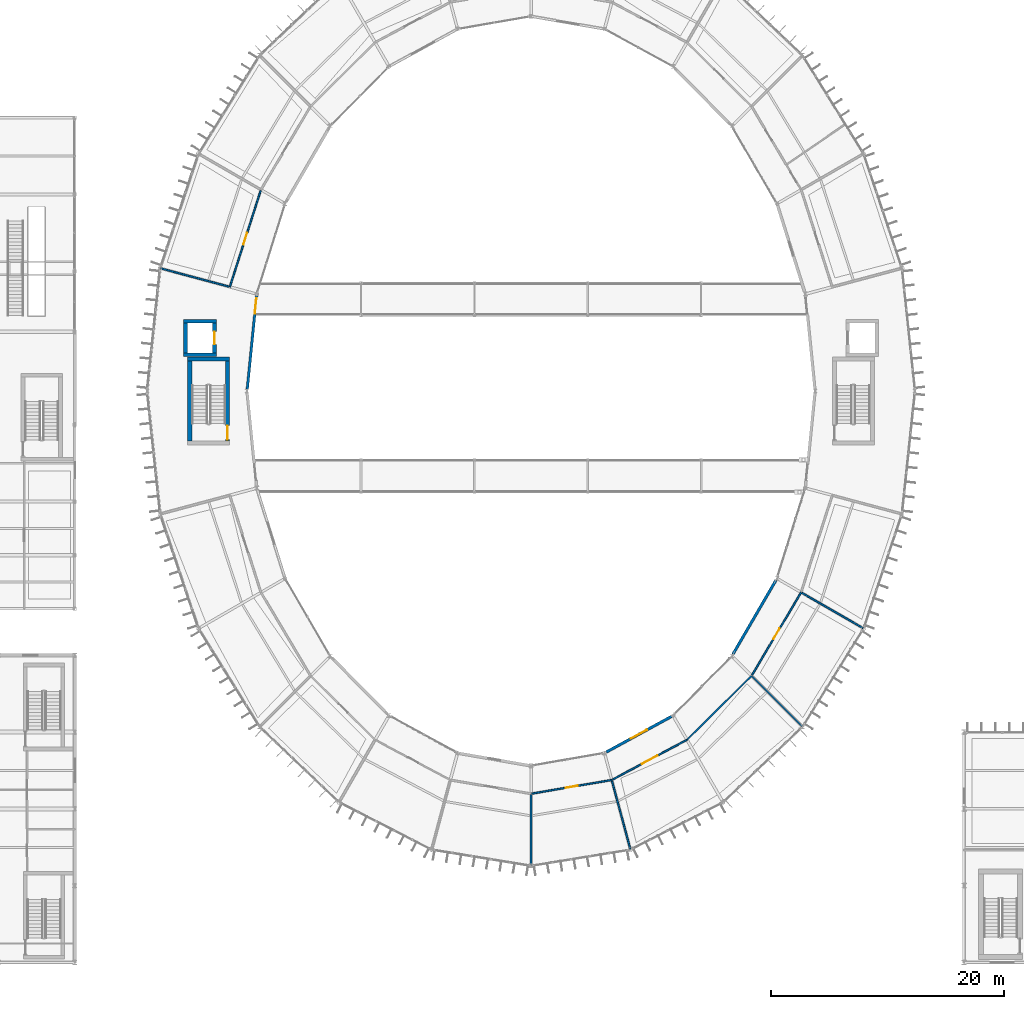
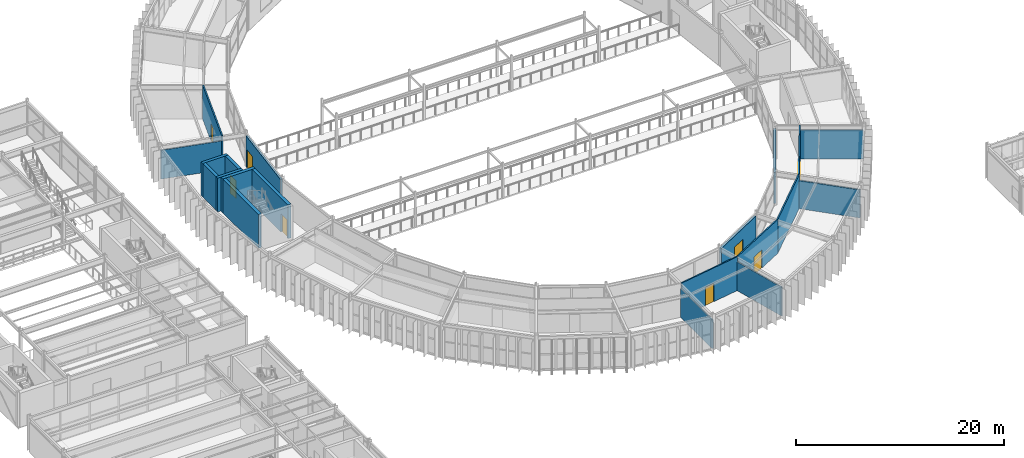
# One storey, part 123 of 148: 20 walls, 7 doors, 1 window, 8 openings.
"""IFC4 building model written with IfcOpenShell, lengths in metres."""

from ifc_helpers import new_model, si_unit, direction, frame, frame_2d, origin, place, context, subcontext, project, spatial, rectangle, extrude, material, layer, layer_set, type_object, element, fill, save


model = new_model("IFC4")

# Units and contexts
model_context = context("Model", 3, precision=1e-05, world=origin(), true_north=direction((0.0, 1.0)))
body_context = subcontext(model_context, "Body", "Model", "MODEL_VIEW")
ifc_project = project(units=[si_unit("LENGTHUNIT", "METRE"), si_unit("AREAUNIT", "SQUARE_METRE"), si_unit("VOLUMEUNIT", "CUBIC_METRE"), si_unit("PLANEANGLEUNIT", "RADIAN"), si_unit("MASSUNIT", "GRAM", prefix="KILO")], contexts=[model_context])

# Site, building, storey
site_placement = place(None, origin())
site = spatial("IfcSite", under=ifc_project, at=site_placement, CompositionType="ELEMENT")
building_placement = place(site_placement, origin())
building = spatial("IfcBuilding", under=site, at=building_placement, Name="Karori Crest Natural Sciences Institute", CompositionType="ELEMENT")
storey_placement = place(building_placement, frame((0.0, 0.0, 4.89990234375)))
storey = spatial("IfcBuildingStorey", under=building, at=storey_placement, Name="L01", CompositionType="ELEMENT", Elevation=4.89990234375)

# Walls
ifc_material_1 = material(Name="Concrete 50 MPa", Category="concrete")
ifc_layer_1 = layer(ifc_material_1, 0.35009765625, Name="Concrete 50 MPa")
ifc_layer_set_1 = layer_set([ifc_layer_1], Name="Concrete 50 MPa")
wall_type_1 = type_object("IfcWallType", Name="IWT-02", PredefinedType="SHEAR", material=ifc_layer_set_1)
wall_1_placement = place(storey_placement, frame((36.89990234375, 52.675048828125, 0.0), z_axis=(0.0, 0.0, 1.0), x_axis=(1.0, 0.0, 0.0)))
element("IfcWall", 1, at=wall_1_placement, inside=storey, type_object=wall_type_1, Name="Shear wall IW-0046", PredefinedType="SHEAR", context=body_context, shape_type="SweptSolid", body=[
    extrude(rectangle(XDim=3.60009765625, YDim=0.35009765625, at=frame_2d((1.800048828125, 0.0))), origin(), (0.0, 0.0, 1.0), 3.97998046875),
])
wall_2_placement = place(storey_placement, frame((37.074951171875, 45.60205078125, 0.0), z_axis=(0.0, 0.0, 1.0), x_axis=(0.0, 1.0, 0.0)))
element("IfcWall", 2, at=wall_2_placement, inside=storey, type_object=wall_type_1, Name="Shear wall IW-0047", PredefinedType="SHEAR", context=body_context, shape_type="SweptSolid", body=[
    extrude(rectangle(XDim=6.89599609375, YDim=0.35009765625, at=frame_2d((3.447998046875, 0.0))), origin(), (0.0, 0.0, 1.0), 3.97998046875),
])

# Wall, opening, door
wall_3_placement = place(storey_placement, frame((40.324951171875, 45.60205078125, 0.0), z_axis=(0.0, 0.0, 1.0), x_axis=(0.0, 1.0, 0.0)))
wall_3 = element("IfcWall", 3, at=wall_3_placement, inside=storey, type_object=wall_type_1, Name="Shear wall IW-0048", PredefinedType="SHEAR", context=body_context, shape_type="SweptSolid", body=[
    extrude(rectangle(XDim=6.89599609375, YDim=0.35009765625, at=frame_2d((3.447998046875, 0.0))), origin(), (0.0, 0.0, 1.0), 3.97998046875),
])
opening_1_placement = place(wall_3_placement, frame((0.1201171875, 0.0, 0.0)))
opening_1 = element("IfcOpeningElement", 4, at=opening_1_placement, cuts=wall_3, Name="Opening ID-0012", PredefinedType="OPENING", context=body_context, shape_type="SweptSolid", body=[
    extrude(rectangle(XDim=1.199951171875, YDim=2.14990234375, at=frame_2d((0.60009765625, 1.074951171875))), frame((0.0, 0.18505859375, 0.0), z_axis=(0.0, -1.0, 0.0), x_axis=(1.0, 0.0, 0.0)), (0.0, 0.0, 1.0), 0.3701171875),
])
ifc_material_2 = material(Name="Stainless steel 316 and fire-rated timber", Category="steel")
door_type_1 = type_object("IfcDoorType", Name="IDT-01", OperationType="NOTDEFINED", PredefinedType="DOOR", material=ifc_material_2)
door_1_placement = place(opening_1_placement, origin())
door_1 = element("IfcDoor", 5, at=door_1_placement, inside=storey, type_object=door_type_1, Name="Stair ST-02 fire door ID-0012", OperationType="SINGLE_SWING_RIGHT", OverallHeight=2.14990234375, OverallWidth=1.199951171875, PredefinedType="DOOR", context=body_context, shape_type="SweptSolid", body=[
    extrude(rectangle(XDim=1.199951171875, YDim=2.14990234375, at=frame_2d((0.60009765625, 1.074951171875))), frame((0.0, 0.02490234375, 0.0), z_axis=(0.0, -1.0, 0.0), x_axis=(1.0, 0.0, 0.0)), (0.0, 0.0, 1.0), 0.050048828125),
])
fill(opening_1, door_1)

# Walls
ifc_layer_2 = layer(ifc_material_1, 0.320068359375, Name="Concrete 50 MPa")
ifc_layer_set_2 = layer_set([ifc_layer_2], Name="Concrete 50 MPa")
wall_type_2 = type_object("IfcWallType", Name="IWT-03", PredefinedType="SHEAR", material=ifc_layer_set_2)
for number, where, z_axis, x_axis, name in (
    (6, (36.544921875, 53.030029296875, 0.0), (0.0, 0.0, 1.0), (1.0, 0.0, 0.0), "Shear wall IW-0445"),
    (7, (36.544921875, 55.89501953125, 0.0), (0.0, 0.0, 1.0), (1.0, 0.0, 0.0), "Shear wall IW-0446"),
):
    element("IfcWall", number, at=place(storey_placement, frame(where, z_axis=z_axis, x_axis=x_axis)), inside=storey, type_object=wall_type_2, Name=name, PredefinedType="SHEAR", context=body_context, shape_type="SweptSolid", body=[
        extrude(rectangle(XDim=2.81005859375, YDim=0.320068359375, at=frame_2d((1.405029296875, 0.0))), origin(), (0.0, 0.0, 1.0), 3.97998046875),
    ])
wall_4_placement = place(storey_placement, frame((36.705078125, 53.19189453125, 0.0), z_axis=(0.0, 0.0, 1.0), x_axis=(0.0, 1.0, 0.0)))
element("IfcWall", 8, at=wall_4_placement, inside=storey, type_object=wall_type_2, Name="Shear wall IW-0447", PredefinedType="SHEAR", context=body_context, shape_type="SweptSolid", body=[
    extrude(rectangle(XDim=2.541015625, YDim=0.320068359375, at=frame_2d((1.2705078125, 0.0))), origin(), (0.0, 0.0, 1.0), 3.97998046875),
])

# Wall, opening, door
wall_5_placement = place(storey_placement, frame((39.195068359375, 53.19189453125, 0.0), z_axis=(0.0, 0.0, 1.0), x_axis=(0.0, 1.0, 0.0)))
wall_5 = element("IfcWall", 9, at=wall_5_placement, inside=storey, type_object=wall_type_2, Name="Shear wall IW-0448", PredefinedType="SHEAR", context=body_context, shape_type="SweptSolid", body=[
    extrude(rectangle(XDim=2.541015625, YDim=0.320068359375, at=frame_2d((1.2705078125, 0.0))), origin(), (0.0, 0.0, 1.0), 3.97998046875),
])
opening_2_placement = place(wall_5_placement, frame((0.720458984375, 0.0, 0.0)))
opening_2 = element("IfcOpeningElement", 10, at=opening_2_placement, cuts=wall_5, Name="Opening LD-0036", PredefinedType="OPENING", context=body_context, shape_type="SweptSolid", body=[
    extrude(rectangle(XDim=1.10009765625, YDim=2.14990234375, at=frame_2d((0.550048828125, 1.074951171875))), frame((0.0, 0.169921875, 0.0), z_axis=(0.0, -1.0, 0.0), x_axis=(1.0, 0.0, 0.0)), (0.0, 0.0, 1.0), 0.340087890625),
])
door_type_2 = type_object("IfcDoorType", Name="LDT-01", OperationType="SLIDING_TO_LEFT", PredefinedType="DOOR", material=ifc_material_2)
door_2_placement = place(opening_2_placement, origin())
door_2 = element("IfcDoor", 11, at=door_2_placement, inside=storey, type_object=door_type_2, Name="Lift LP-02 landing door LD-0036", OperationType="SLIDING_TO_LEFT", OverallHeight=2.14990234375, OverallWidth=1.10009765625, PredefinedType="DOOR", context=body_context, shape_type="SweptSolid", body=[
    extrude(rectangle(XDim=1.10009765625, YDim=2.14990234375, at=frame_2d((0.550048828125, 1.074951171875))), frame((0.0, 0.02490234375, 0.0), z_axis=(0.0, -1.0, 0.0), x_axis=(1.0, 0.0, 0.0)), (0.0, 0.0, 1.0), 0.050048828125),
])
fill(opening_2, door_2)

ifc_material_3 = material(Name="Laboratory acoustic drywall partition")
ifc_layer_3 = layer(ifc_material_3, 0.139892578125, Name="Laboratory acoustic drywall partition")
ifc_layer_set_3 = layer_set([ifc_layer_3], Name="Laboratory acoustic drywall partition")
wall_type_3 = type_object("IfcWallType", Name="IWT-07", PredefinedType="PARTITIONING", material=ifc_layer_set_3)
wall_6_placement = place(storey_placement, frame((43.16796875, 67.1298828125, 0.0), z_axis=(0.0, 0.0, 1.0), x_axis=(-0.305487150125, -0.952196198852, 0.0)))
wall_6 = element("IfcWall", 12, at=wall_6_placement, inside=storey, type_object=wall_type_3, Name="Partition wall IW-1228", PredefinedType="PARTITIONING", context=body_context, shape_type="SweptSolid", body=[
    extrude(rectangle(XDim=8.6904296875, YDim=0.139892578125, at=frame_2d((4.34521484375, 0.0))), origin(), (0.0, 0.0, 1.0), 3.97998046875),
])
opening_3_placement = place(wall_6_placement, frame((3.820068359375, 0.0, 0.0)))
opening_3 = element("IfcOpeningElement", 13, at=opening_3_placement, cuts=wall_6, Name="Opening ID-0374", PredefinedType="OPENING", context=body_context, shape_type="SweptSolid", body=[
    extrude(rectangle(XDim=1.050048828125, YDim=2.14990234375, at=frame_2d((0.52490234375, 1.074951171875))), frame((0.0, 0.080078125, 0.0), z_axis=(0.0, -1.0, 0.0), x_axis=(1.0, 0.0, 0.0)), (0.0, 0.0, 1.0), 0.159912109375),
])
door_type_3 = type_object("IfcDoorType", Name="IDT-03", OperationType="NOTDEFINED", PredefinedType="DOOR", material=ifc_material_2)
door_3_placement = place(opening_3_placement, origin())
door_3 = element("IfcDoor", 14, at=door_3_placement, inside=storey, type_object=door_type_3, Name="Wet Biology Laboratory door ID-0374", OperationType="SINGLE_SWING_RIGHT", OverallHeight=2.14990234375, OverallWidth=1.050048828125, PredefinedType="DOOR", context=body_context, shape_type="SweptSolid", body=[
    extrude(rectangle(XDim=1.050048828125, YDim=2.14990234375, at=frame_2d((0.52490234375, 1.074951171875))), frame((0.0, 0.02490234375, 0.0), z_axis=(0.0, -1.0, 0.0), x_axis=(1.0, 0.0, 0.0)), (0.0, 0.0, 1.0), 0.050048828125),
])
fill(opening_3, door_3)

# Walls
wall_7_placement = place(storey_placement, frame((40.435791015625, 58.875732421875, 0.0), z_axis=(0.0, 0.0, 1.0), x_axis=(-0.965916578341, 0.258853556448, 0.0)))
element("IfcWall", 15, at=wall_7_placement, inside=storey, type_object=wall_type_3, Name="Partition wall IW-1229", PredefinedType="PARTITIONING", context=body_context, shape_type="SweptSolid", body=[
    extrude(rectangle(XDim=6.059814453125, YDim=0.139892578125, at=frame_2d((3.02978515625, 0.0))), origin(), (0.0, 0.0, 1.0), 3.39208984375),
])
wall_8_placement = place(storey_placement, frame((66.39990234375, 15.219970703125, 0.0), z_axis=(0.0, 0.0, 1.0), x_axis=(0.0, -1.0, 0.0)))
element("IfcWall", 16, at=wall_8_placement, inside=storey, type_object=wall_type_3, Name="Partition wall IW-1239", PredefinedType="PARTITIONING", context=body_context, shape_type="SweptSolid", body=[
    extrude(rectangle(XDim=6.06005859375, YDim=0.139892578125, at=frame_2d((3.030029296875, 0.0))), origin(), (0.0, 0.0, 1.0), 3.39208984375),
])

# Wall, opening, door
wall_9_placement = place(storey_placement, frame((66.471923828125, 15.312255859375, 0.0), z_axis=(0.0, 0.0, 1.0), x_axis=(0.985861002198, 0.167565164474, 0.0)))
wall_9 = element("IfcWall", 17, at=wall_9_placement, inside=storey, type_object=wall_type_3, Name="Partition wall IW-1240", PredefinedType="PARTITIONING", context=body_context, shape_type="SweptSolid", body=[
    extrude(rectangle(XDim=6.962890625, YDim=0.139892578125, at=frame_2d((3.4814453125, 0.0))), origin(), (0.0, 0.0, 1.0), 3.97998046875),
])
opening_4_placement = place(wall_9_placement, frame((2.956298828125, 0.0, 0.0)))
opening_4 = element("IfcOpeningElement", 18, at=opening_4_placement, cuts=wall_9, Name="Opening ID-0379", PredefinedType="OPENING", context=body_context, shape_type="SweptSolid", body=[
    extrude(rectangle(XDim=1.050048828125, YDim=2.14990234375, at=frame_2d((0.52490234375, 1.074951171875))), frame((0.0, 0.080078125, 0.0), z_axis=(0.0, -1.0, 0.0), x_axis=(1.0, 0.0, 0.0)), (0.0, 0.0, 1.0), 0.159912109375),
])
door_4_placement = place(opening_4_placement, origin())
door_4 = element("IfcDoor", 19, at=door_4_placement, inside=storey, type_object=door_type_3, Name="Dry Optics Physics Laboratory door ID-0379", OperationType="SINGLE_SWING_RIGHT", OverallHeight=2.14990234375, OverallWidth=1.050048828125, PredefinedType="DOOR", context=body_context, shape_type="SweptSolid", body=[
    extrude(rectangle(XDim=1.050048828125, YDim=2.14990234375, at=frame_2d((0.52490234375, 1.074951171875))), frame((0.0, 0.02490234375, 0.0), z_axis=(0.0, -1.0, 0.0), x_axis=(1.0, 0.0, 0.0)), (0.0, 0.0, 1.0), 0.050048828125),
])
fill(opening_4, door_4)

# Wall
wall_10_placement = place(storey_placement, frame((73.357177734375, 16.401611328125, 0.0), z_axis=(0.0, 0.0, 1.0), x_axis=(0.258805895167, -0.965929349708, 0.0)))
element("IfcWall", 20, at=wall_10_placement, inside=storey, type_object=wall_type_3, Name="Partition wall IW-1241", PredefinedType="PARTITIONING", context=body_context, shape_type="SweptSolid", body=[
    extrude(rectangle(XDim=6.06005859375, YDim=0.139892578125, at=frame_2d((3.030029296875, 0.0))), origin(), (0.0, 0.0, 1.0), 3.39208984375),
])

# Wall, opening, door
wall_11_placement = place(storey_placement, frame((73.401611328125, 16.513916015625, 0.0), z_axis=(0.0, 0.0, 1.0), x_axis=(0.881829873621, 0.471567676999, 0.0)))
wall_11 = element("IfcWall", 21, at=wall_11_placement, inside=storey, type_object=wall_type_3, Name="Partition wall IW-1242", PredefinedType="PARTITIONING", context=body_context, shape_type="SweptSolid", body=[
    extrude(rectangle(XDim=7.255859375, YDim=0.139892578125, at=frame_2d((3.6279296875, 0.0))), origin(), (0.0, 0.0, 1.0), 3.97998046875),
])
opening_5_placement = place(wall_11_placement, frame((2.8779296875, 0.0, 0.0)))
opening_5 = element("IfcOpeningElement", 22, at=opening_5_placement, cuts=wall_11, Name="Opening ID-0380", PredefinedType="OPENING", context=body_context, shape_type="SweptSolid", body=[
    extrude(rectangle(XDim=1.5, YDim=2.14990234375, at=frame_2d((0.75, 1.074951171875))), frame((0.0, 0.080078125, 0.0), z_axis=(0.0, -1.0, 0.0), x_axis=(1.0, 0.0, 0.0)), (0.0, 0.0, 1.0), 0.159912109375),
])
door_type_4 = type_object("IfcDoorType", Name="IDT-05", OperationType="DOUBLE_DOOR_SINGLE_SWING", PredefinedType="DOOR", material=ifc_material_2)
door_5_placement = place(opening_5_placement, origin())
door_5 = element("IfcDoor", 23, at=door_5_placement, inside=storey, type_object=door_type_4, Name="Marine Ecology Dry Laboratory door ID-0380", OperationType="DOUBLE_DOOR_SINGLE_SWING", OverallHeight=2.14990234375, OverallWidth=1.5, PredefinedType="DOOR", context=body_context, shape_type="SweptSolid", body=[
    extrude(rectangle(XDim=1.5, YDim=2.14990234375, at=frame_2d((0.75, 1.074951171875))), frame((0.0, 0.02490234375, 0.0), z_axis=(0.0, -1.0, 0.0), x_axis=(1.0, 0.0, 0.0)), (0.0, 0.0, 1.0), 0.050048828125),
])
fill(opening_5, door_5)

# Walls
wall_12_placement = place(storey_placement, frame((79.801513671875, 19.93701171875, 0.0), z_axis=(0.0, 0.0, 1.0), x_axis=(0.710427757183, 0.703770134222, 0.0)))
element("IfcWall", 24, at=wall_12_placement, inside=storey, type_object=wall_type_3, Name="Partition wall IW-1243", PredefinedType="PARTITIONING", context=body_context, shape_type="SweptSolid", body=[
    extrude(rectangle(XDim=7.810791015625, YDim=0.139892578125, at=frame_2d((3.9052734375, 0.0))), origin(), (0.0, 0.0, 1.0), 3.97998046875),
])
wall_13_placement = place(storey_placement, frame((85.406982421875, 25.37744140625, 0.0), z_axis=(0.0, 0.0, 1.0), x_axis=(0.707106781187, -0.707106781187, 0.0)))
element("IfcWall", 25, at=wall_13_placement, inside=storey, type_object=wall_type_3, Name="Partition wall IW-1244", PredefinedType="PARTITIONING", context=body_context, shape_type="SweptSolid", body=[
    extrude(rectangle(XDim=6.06005859375, YDim=0.139892578125, at=frame_2d((3.030029296875, 0.0))), origin(), (0.0, 0.0, 1.0), 3.322998046875),
])

# Wall, opening, door
wall_14_placement = place(storey_placement, frame((85.388427734375, 25.497802734375, 0.0), z_axis=(0.0, 0.0, 1.0), x_axis=(0.510914893672, 0.8596312997, 0.0)))
wall_14 = element("IfcWall", 26, at=wall_14_placement, inside=storey, type_object=wall_type_3, Name="Partition wall IW-1245", PredefinedType="PARTITIONING", context=body_context, shape_type="SweptSolid", body=[
    extrude(rectangle(XDim=8.261962890625, YDim=0.139892578125, at=frame_2d((4.130859375, 0.0))), origin(), (0.0, 0.0, 1.0), 3.97998046875),
])
opening_6_placement = place(wall_14_placement, frame((3.60595703125, 0.0, 0.0)))
opening_6 = element("IfcOpeningElement", 27, at=opening_6_placement, cuts=wall_14, Name="Opening ID-0381", PredefinedType="OPENING", context=body_context, shape_type="SweptSolid", body=[
    extrude(rectangle(XDim=1.050048828125, YDim=2.14990234375, at=frame_2d((0.52490234375, 1.074951171875))), frame((0.0, 0.080078125, 0.0), z_axis=(0.0, -1.0, 0.0), x_axis=(1.0, 0.0, 0.0)), (0.0, 0.0, 1.0), 0.159912109375),
])
door_6_placement = place(opening_6_placement, origin())
door_6 = element("IfcDoor", 28, at=door_6_placement, inside=storey, type_object=door_type_3, Name="Paleoclimate Core Analysis Laboratory door ID-0381", OperationType="SINGLE_SWING_LEFT", OverallHeight=2.14990234375, OverallWidth=1.050048828125, PredefinedType="DOOR", context=body_context, shape_type="SweptSolid", body=[
    extrude(rectangle(XDim=1.050048828125, YDim=2.14990234375, at=frame_2d((0.52490234375, 1.074951171875))), frame((0.0, 0.02490234375, 0.0), z_axis=(0.0, -1.0, 0.0), x_axis=(1.0, 0.0, 0.0)), (0.0, 0.0, 1.0), 0.050048828125),
])
fill(opening_6, door_6)

# Wall
wall_15_placement = place(storey_placement, frame((89.6787109375, 32.56005859375, 0.0), z_axis=(0.0, 0.0, 1.0), x_axis=(0.866020543329, -0.500008418462, 0.0)))
element("IfcWall", 29, at=wall_15_placement, inside=storey, type_object=wall_type_3, Name="Partition wall IW-1246", PredefinedType="PARTITIONING", context=body_context, shape_type="SweptSolid", body=[
    extrude(rectangle(XDim=6.06005859375, YDim=0.139892578125, at=frame_2d((3.030029296875, 0.0))), origin(), (0.0, 0.0, 1.0), 3.39208984375),
])

# Wall, opening, window
ifc_material_4 = material(Name="Precast concrete 40 MPa", Category="concrete")
ifc_layer_4 = layer(ifc_material_4, 0.239990234375, Name="Precast concrete 40 MPa")
ifc_layer_set_4 = layer_set([ifc_layer_4], Name="Precast concrete 40 MPa")
wall_type_4 = type_object("IfcWallType", Name="WT-04", PredefinedType="SOLIDWALL", material=ifc_layer_set_4)
wall_16_placement = place(storey_placement, frame((72.865966796875, 18.879638671875, 0.0), z_axis=(0.0, 0.0, 1.0), x_axis=(0.877463709328, 0.479643032695, 0.0)))
wall_16 = element("IfcWall", 30, at=wall_16_placement, inside=storey, type_object=wall_type_4, Name="Exterior wall EW-0048", PredefinedType="SOLIDWALL", context=body_context, shape_type="SweptSolid", body=[
    extrude(rectangle(XDim=6.400146484375, YDim=0.239990234375, at=frame_2d((3.2001953125, 0.0))), origin(), (0.0, 0.0, 1.0), 3.650146484375),
])
opening_7_placement = place(wall_16_placement, frame((2.400146484375, 0.0, 0.85009765625)))
opening_7 = element("IfcOpeningElement", 31, at=opening_7_placement, cuts=wall_16, Name="Opening WN-0014", PredefinedType="OPENING", context=body_context, shape_type="SweptSolid", body=[
    extrude(rectangle(XDim=1.60009765625, YDim=1.5, at=frame_2d((0.800048828125, 0.75))), frame((0.0, 0.1298828125, 0.0), z_axis=(0.0, -1.0, 0.0), x_axis=(1.0, 0.0, 0.0)), (0.0, 0.0, 1.0), 0.260009765625),
])
ifc_material_5 = material(Name="Double low-E laminated glass", Category="glass")
window_type = type_object("IfcWindowType", Name="WNT-20", PartitioningType="SINGLE_PANEL", PredefinedType="WINDOW", material=ifc_material_5)
window_placement = place(opening_7_placement, origin())
window = element("IfcWindow", 32, at=window_placement, inside=storey, type_object=window_type, Name="Window WN-0014", OverallHeight=1.5, OverallWidth=1.60009765625, PartitioningType="SINGLE_PANEL", PredefinedType="WINDOW", context=body_context, shape_type="SweptSolid", body=[
    extrude(rectangle(XDim=1.60009765625, YDim=1.5, at=frame_2d((0.800048828125, 0.75))), frame((0.0, 0.030029296875, 0.0), z_axis=(0.0, -1.0, 0.0), x_axis=(1.0, 0.0, 0.0)), (0.0, 0.0, 1.0), 0.06005859375),
])
fill(opening_7, window)

# Wall
wall_17_placement = place(storey_placement, frame((83.743896484375, 27.287109375, 0.0), z_axis=(0.0, 0.0, 1.0), x_axis=(0.50266774775, 0.864479690549, 0.0)))
element("IfcWall", 33, at=wall_17_placement, inside=storey, type_object=wall_type_4, Name="Exterior wall EW-0049", PredefinedType="SOLIDWALL", context=body_context, shape_type="SweptSolid", body=[
    extrude(rectangle(XDim=7.357666015625, YDim=0.239990234375, at=frame_2d((3.6787109375, 0.0))), origin(), (0.0, 0.0, 1.0), 3.650146484375),
])

# Wall, opening, door
ifc_layer_5 = layer(ifc_material_4, 0.219970703125, Name="Precast concrete 40 MPa")
ifc_layer_set_5 = layer_set([ifc_layer_5], Name="Precast concrete 40 MPa")
wall_type_5 = type_object("IfcWallType", Name="WT-05", PredefinedType="SOLIDWALL", material=ifc_layer_set_5)
wall_18_placement = place(storey_placement, frame((42.818115234375, 58.10009765625, 0.0), z_axis=(0.0, 0.0, 1.0), x_axis=(-0.099291432912, -0.99505839595, 0.0)))
wall_18 = element("IfcWall", 34, at=wall_18_placement, inside=storey, type_object=wall_type_5, Name="Exterior wall EW-0043", PredefinedType="SOLIDWALL", context=body_context, shape_type="SweptSolid", body=[
    extrude(rectangle(XDim=8.084716796875, YDim=0.219970703125, at=frame_2d((4.04248046875, 0.0))), origin(), (0.0, 0.0, 1.0), 3.650146484375),
])
opening_8_placement = place(wall_18_placement, frame((0.2099609375, 0.0, 0.0)))
opening_8 = element("IfcOpeningElement", 35, at=opening_8_placement, cuts=wall_18, Name="Opening ED-0008", PredefinedType="OPENING", context=body_context, shape_type="SweptSolid", body=[
    extrude(rectangle(XDim=1.35009765625, YDim=2.14990234375, at=frame_2d((0.675048828125, 1.074951171875))), frame((0.0, 0.1201171875, 0.0), z_axis=(0.0, -1.0, 0.0), x_axis=(1.0, 0.0, 0.0)), (0.0, 0.0, 1.0), 0.239990234375),
])
ifc_material_6 = material(Name="Anodised architectural aluminium 6063-T6", Category="aluminium")
door_type_5 = type_object("IfcDoorType", Name="EDT-06", OperationType="NOTDEFINED", PredefinedType="DOOR", material=ifc_material_6)
door_7_placement = place(opening_8_placement, origin())
door_7 = element("IfcDoor", 36, at=door_7_placement, inside=storey, type_object=door_type_5, Name="Courtyard bridge door ED-0008", OperationType="SINGLE_SWING_LEFT", OverallHeight=2.14990234375, OverallWidth=1.35009765625, PredefinedType="DOOR", context=body_context, shape_type="SweptSolid", body=[
    extrude(rectangle(XDim=1.35009765625, YDim=2.14990234375, at=frame_2d((0.675048828125, 1.074951171875))), frame((0.0, 0.02490234375, 0.0), z_axis=(0.0, -1.0, 0.0), x_axis=(1.0, 0.0, 0.0)), (0.0, 0.0, 1.0), 0.050048828125),
])
fill(opening_8, door_7)

save(model, "model.ifc")
